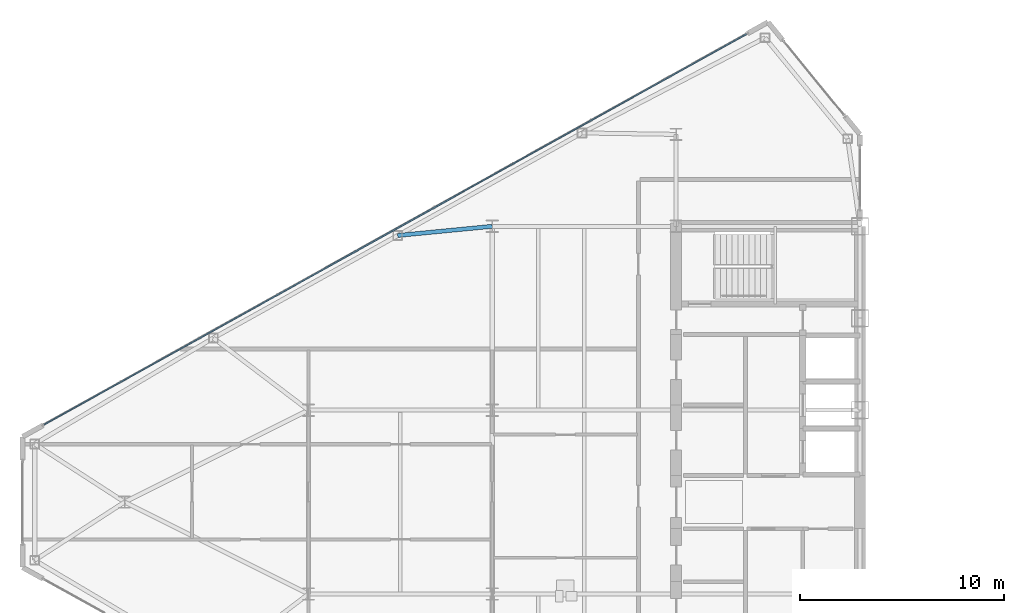
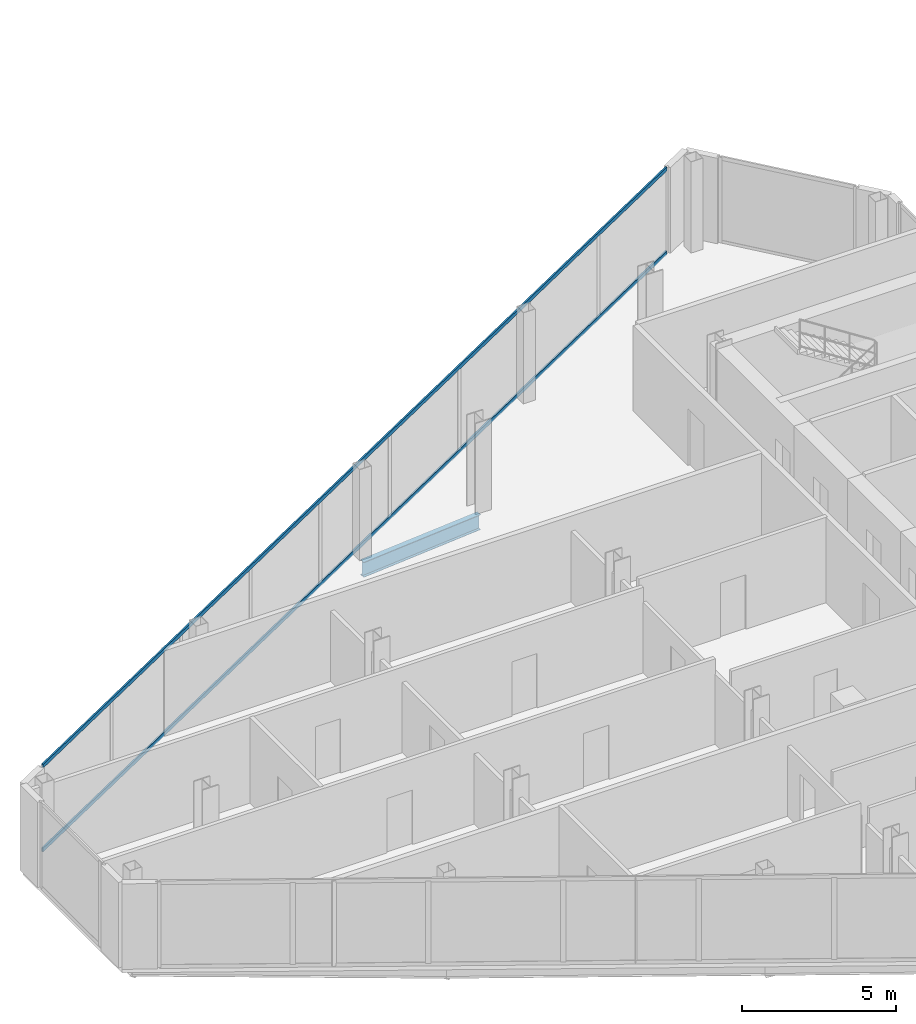
# One storey, part 9 of 26: 2 members, 1 beam, 1 element without a shape of its own.
"""IFC4 building model written with IfcOpenShell, lengths in metres."""

from ifc_helpers import new_model, si_unit, direction, frame, origin, origin_2d, place, context, subcontext, project, spatial, rectangle, i_section, extrude, source, transform, mapped, material, layer, layer_set, material_profile, profile_set, type_object, type_shapes, element, aggregate, save


model = new_model("IFC4")

# Units and contexts
model_context = context("Model", 3, precision=1e-05, world=origin(), true_north=direction((0.0, 1.0)))
body_context = subcontext(model_context, "Body", "Model", "MODEL_VIEW")
ifc_project = project(units=[si_unit("LENGTHUNIT", "METRE"), si_unit("AREAUNIT", "SQUARE_METRE"), si_unit("VOLUMEUNIT", "CUBIC_METRE"), si_unit("PLANEANGLEUNIT", "RADIAN"), si_unit("MASSUNIT", "GRAM", prefix="KILO")], contexts=[model_context])

# Site, building, storey
site_placement = place(None, origin())
site = spatial("IfcSite", under=ifc_project, at=site_placement, CompositionType="ELEMENT")
building_placement = place(site_placement, origin())
building = spatial("IfcBuilding", under=site, at=building_placement, Name="Seokmaru Belvedere", CompositionType="ELEMENT")
storey_placement = place(building_placement, frame((0.0, 0.0, 177.89990234375)))
storey = spatial("IfcBuildingStorey", under=building, at=storey_placement, Name="L47", CompositionType="ELEMENT", Elevation=177.89990234375)

# Beam
ifc_material_1 = material(Name="Steel SM355 (355 MPa)", Category="steel")
ifc_material_profile_1 = material_profile(ifc_material_1, i_section(OverallWidth=0.199951171875, OverallDepth=0.60009765625, WebThickness=0.010986328125, FlangeThickness=0.01708984375, at=origin_2d()), Name="H-600x200x11x17")
ifc_profile_set_1 = profile_set([ifc_material_profile_1], Name="Steel SM355 (355 MPa)")
beam_type = type_object("IfcBeamType", Name="Primary Floor Girder H-600", PredefinedType="BEAM", material=ifc_profile_set_1)
shared_shape_1 = source(origin(), body_context, "Body", "SweptSolid", [
    extrude(i_section(OverallWidth=0.199951171875, OverallDepth=0.60009765625, WebThickness=0.010986328125, FlangeThickness=0.01708984375, at=origin_2d()), origin(), (0.0, 0.0, 1.0), 4.65087890625),
])
type_shapes(beam_type, [shared_shape_1])
beam_placement = place(storey_placement, frame((-50.129150390625, 13.051025390625, -0.52001953125), z_axis=(0.995329534874, 0.09653557379, 0.0), x_axis=(-0.09653557379, 0.995329534874, 0.0)))
element("IfcBeam", 1, at=beam_placement, inside=storey, type_object=beam_type, Name="L47 W Flank Radial Floor Girder N-2", PredefinedType="BEAM", context=body_context, shape_type="MappedRepresentation", body=[
    mapped(shared_shape_1, transform((0.0, 0.0, 0.0), scale=1.0)),
])

# Curtain wall, members
ifc_material_2 = material(Name="Bronze Triple Insulating Glass", Category="glass")
ifc_layer = layer(ifc_material_2, 0.179931640625)
ifc_layer_set = layer_set([ifc_layer], Name="Bronze Triple Insulating Glass")
curtain_wall_type = type_object("IfcCurtainWallType", Name="High-Rise Wind-Corner Curtain Wall System CW-5", PredefinedType="NOTDEFINED", material=ifc_layer_set)
curtain_wall_placement = place(storey_placement, origin())
curtain_wall = element("IfcCurtainWall", 2, at=curtain_wall_placement, inside=storey, type_object=curtain_wall_type, Name="L47 Curtain Wall WF3", PredefinedType="NOTDEFINED")
ifc_material_3 = material(Name="Anodised Bronze Aluminium", Category="aluminium")
ifc_material_profile_2 = material_profile(ifc_material_3, rectangle(XDim=0.06494140625, YDim=0.14990234375, at=origin_2d()), Name="CW-T-65x150")
ifc_profile_set_2 = profile_set([ifc_material_profile_2], Name="Anodised Bronze Aluminium")
member_type = type_object("IfcMemberType", Name="Bronze Unitised Transom 65x150", PredefinedType="USERDEFINED", material=ifc_profile_set_2)
shared_shape_2 = source(origin(), body_context, "Body", "SweptSolid", [
    extrude(rectangle(XDim=0.06494140625, YDim=0.14990234375, at=origin_2d()), origin(), (0.0, 0.0, 1.0), 39.33544921875),
])
type_shapes(member_type, [shared_shape_2])
member_1_placement = place(storey_placement, frame((-33.061767578125, 22.909423828125, 0.03271484375), z_axis=(-0.873932045133, -0.486048125693, 0.0), x_axis=(0.486048125693, -0.873932045133, 0.0)))
member_1 = element("IfcMember", 3, at=member_1_placement, type_object=member_type, Name="CW:L47:WF3 Continuous Transom 1", ObjectType="TRANSOM", PredefinedType="USERDEFINED", context=body_context, shape_type="MappedRepresentation", body=[
    mapped(shared_shape_2, transform((0.0, 0.0, 0.0), scale=1.0)),
])
member_2_placement = place(storey_placement, frame((-33.061767578125, 22.909423828125, 3.34765625), z_axis=(-0.873932045133, -0.486048125693, 0.0), x_axis=(0.486048125693, -0.873932045133, 0.0)))
member_2 = element("IfcMember", 4, at=member_2_placement, type_object=member_type, Name="CW:L47:WF3 Continuous Transom 2", ObjectType="TRANSOM", PredefinedType="USERDEFINED", context=body_context, shape_type="MappedRepresentation", body=[
    mapped(shared_shape_2, transform((0.0, 0.0, 0.0), scale=1.0)),
])
aggregate(curtain_wall, [member_1, member_2])

save(model, "model.ifc")
